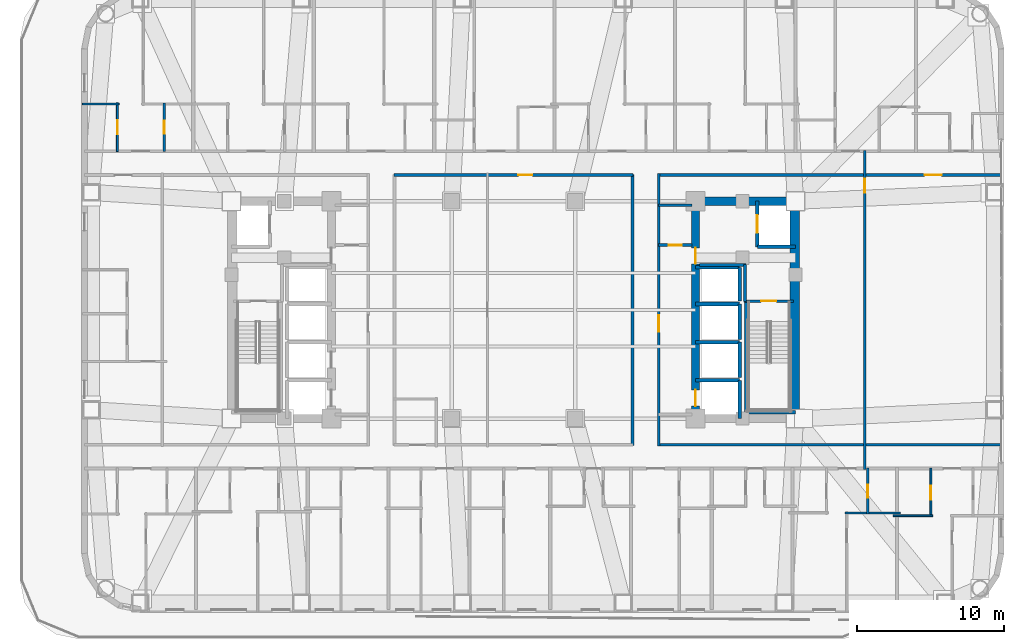
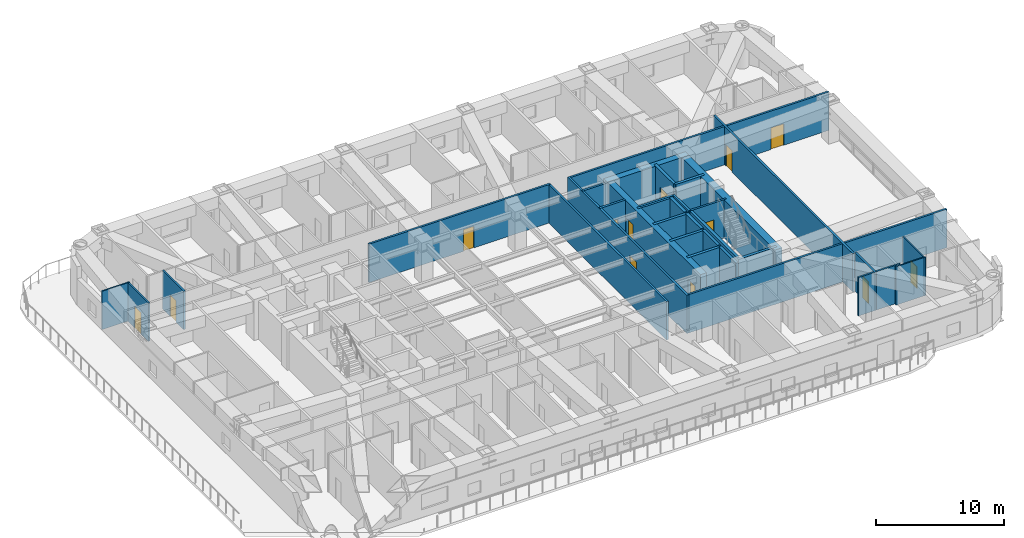
# One storey, part 10 of 18: 33 walls, 13 doors, 13 openings.
"""IFC4 building model written with IfcOpenShell, lengths in metres."""

from ifc_helpers import new_model, si_unit, direction, frame, frame_2d, origin, place, context, subcontext, project, spatial, rectangle, extrude, material, layer, layer_set, type_object, element, fill, save


model = new_model("IFC4")

# Units and contexts
model_context = context("Model", 3, precision=1e-05, world=origin(), true_north=direction((0.0, 1.0)))
body_context = subcontext(model_context, "Body", "Model", "MODEL_VIEW")
ifc_project = project(units=[si_unit("LENGTHUNIT", "METRE"), si_unit("AREAUNIT", "SQUARE_METRE"), si_unit("VOLUMEUNIT", "CUBIC_METRE"), si_unit("PLANEANGLEUNIT", "RADIAN"), si_unit("MASSUNIT", "GRAM", prefix="KILO")], contexts=[model_context])

# Site, building, storey
site_placement = place(None, origin())
site = spatial("IfcSite", under=ifc_project, at=site_placement, CompositionType="ELEMENT")
building_placement = place(site_placement, origin())
building = spatial("IfcBuilding", under=site, at=building_placement, Name="Voryun Gate Residences", CompositionType="ELEMENT")
storey_placement = place(building_placement, frame((0.0, 0.0, 85.800048828125)))
storey = spatial("IfcBuildingStorey", under=building, at=storey_placement, Name="L20", CompositionType="ELEMENT", Elevation=85.800048828125)

# Wall
ifc_material_1 = material(Name="Concrete C60/75", Category="concrete")
ifc_layer_1 = layer(ifc_material_1, 0.550048828125, Name="CW_CORE_550")
ifc_layer_set_1 = layer_set([ifc_layer_1], Name="Concrete C60/75")
wall_type_1 = type_object("IfcWallType", Name="CW_CORE_550", PredefinedType="SHEAR", material=ifc_layer_set_1)
wall_1_placement = place(storey_placement, frame((12.125, 7.39990234375, 0.0), z_axis=(0.0, 0.0, 1.0), x_axis=(1.0, 0.0, 0.0)))
element("IfcWall", 1, at=wall_1_placement, inside=storey, type_object=wall_type_1, Name="L20 Core shear wall CW-L20-EN", PredefinedType="SHEAR", context=body_context, shape_type="SweptSolid", body=[
    extrude(rectangle(XDim=7.35009765625, YDim=0.550048828125, at=frame_2d((3.675048828125, 0.0))), origin(), (0.0, 0.0, 1.0), 3.64990234375),
])

# Wall, openings, doors
wall_2_placement = place(storey_placement, frame((12.39990234375, -7.39990234375, 0.0), z_axis=(0.0, 0.0, 1.0), x_axis=(0.0, 1.0, 0.0)))
wall_2 = element("IfcWall", 2, at=wall_2_placement, inside=storey, type_object=wall_type_1, Name="L20 Core shear wall CW-L20-EW", PredefinedType="SHEAR", context=body_context, shape_type="SweptSolid", body=[
    extrude(rectangle(XDim=14.7998046875, YDim=0.550048828125, at=frame_2d((7.39990234375, 0.0))), origin(), (0.0, 0.0, 1.0), 3.64990234375),
])
opening_1_placement = place(wall_2_placement, frame((0.85009765625, 0.0, 0.0)))
opening_1 = element("IfcOpeningElement", 3, at=opening_1_placement, cuts=wall_2, Name="Opening LD2", PredefinedType="OPENING", context=body_context, shape_type="SweptSolid", body=[
    extrude(rectangle(XDim=1.10009765625, YDim=2.050048828125, at=frame_2d((0.550048828125, 1.02490234375))), frame((0.0, 0.284912109375, 0.0), z_axis=(0.0, -1.0, 0.0), x_axis=(1.0, 0.0, 0.0)), (0.0, 0.0, 1.0), 0.570068359375),
])
opening_2_placement = place(wall_2_placement, frame((10.530029296875, 0.0, 0.0)))
opening_2 = element("IfcOpeningElement", 4, at=opening_2_placement, cuts=wall_2, Name="Opening D-FD60-2", PredefinedType="OPENING", context=body_context, shape_type="SweptSolid", body=[
    extrude(rectangle(XDim=1.10009765625, YDim=2.050048828125, at=frame_2d((0.550048828125, 1.02490234375))), frame((0.0, 0.284912109375, 0.0), z_axis=(0.0, -1.0, 0.0), x_axis=(1.0, 0.0, 0.0)), (0.0, 0.0, 1.0), 0.570068359375),
])
ifc_material_2 = material(Name="Painted steel fire door", Category="steel")
door_type_1 = type_object("IfcDoorType", Name="DR_FD60_FFLOB_1100", OperationType="NOTDEFINED", PredefinedType="DOOR", material=ifc_material_2)
door_1_placement = place(opening_2_placement, origin())
door_1 = element("IfcDoor", 5, at=door_1_placement, inside=storey, type_object=door_type_1, Name="Door DR-L20-CLOB-E", OperationType="SINGLE_SWING_RIGHT", OverallHeight=2.050048828125, OverallWidth=1.10009765625, PredefinedType="DOOR", context=body_context, shape_type="SweptSolid", body=[
    extrude(rectangle(XDim=1.10009765625, YDim=2.050048828125, at=frame_2d((0.550048828125, 1.02490234375))), frame((0.0, 0.02490234375, 0.0), z_axis=(0.0, -1.0, 0.0), x_axis=(1.0, 0.0, 0.0)), (0.0, 0.0, 1.0), 0.050048828125),
])
fill(opening_2, door_1)
ifc_material_3 = material(Name="Anodised aluminium", Category="aluminium")
door_type_2 = type_object("IfcDoorType", Name="DR_LD_PASS_1100", OperationType="NOTDEFINED", PredefinedType="DOOR", material=ifc_material_3)
door_2_placement = place(opening_1_placement, origin())
door_2 = element("IfcDoor", 6, at=door_2_placement, inside=storey, type_object=door_type_2, Name="Lift EL-P3 sliding landing door L20", OperationType="SLIDING_TO_LEFT", OverallHeight=2.050048828125, OverallWidth=1.10009765625, PredefinedType="DOOR", context=body_context, shape_type="SweptSolid", body=[
    extrude(rectangle(XDim=1.10009765625, YDim=2.050048828125, at=frame_2d((0.550048828125, 1.02490234375))), frame((0.0, 0.02490234375, 0.0), z_axis=(0.0, -1.0, 0.0), x_axis=(1.0, 0.0, 0.0)), (0.0, 0.0, 1.0), 0.050048828125),
])
fill(opening_1, door_2)

# Wall
ifc_material_4 = material(Name="Concrete C60/75", Category="concrete")
ifc_layer_2 = layer(ifc_material_4, 0.64990234375, Name="CW_CORE_650")
ifc_layer_set_2 = layer_set([ifc_layer_2], Name="Concrete C60/75")
wall_type_2 = type_object("IfcWallType", Name="CW_CORE_650", PredefinedType="SHEAR", material=ifc_layer_set_2)
wall_3_placement = place(storey_placement, frame((19.14501953125, -7.39990234375, 0.0), z_axis=(0.0, 0.0, 1.0), x_axis=(0.0, 1.0, 0.0)))
element("IfcWall", 7, at=wall_3_placement, inside=storey, type_object=wall_type_2, Name="L20 Core shear wall CW-L20-EE", PredefinedType="SHEAR", context=body_context, shape_type="SweptSolid", body=[
    extrude(rectangle(XDim=14.7998046875, YDim=0.64990234375, at=frame_2d((7.39990234375, 0.0))), origin(), (0.0, 0.0, 1.0), 3.64990234375),
])

# Wall, opening, door
ifc_material_5 = material(Name="Gypsum acoustic fireboard")
ifc_layer_3 = layer(ifc_material_5, 0.179931640625, Name="W_CORR_RATED_180")
ifc_layer_set_3 = layer_set([ifc_layer_3], Name="Gypsum acoustic fireboard")
wall_type_3 = type_object("IfcWallType", Name="W_CORR_RATED_180", PredefinedType="PARTITIONING", material=ifc_layer_set_3)
wall_4_placement = place(storey_placement, frame((15.699951171875, 0.60009765625, 0.0), z_axis=(0.0, 0.0, 1.0), x_axis=(1.0, 0.0, 0.0)))
wall_4 = element("IfcWall", 8, at=wall_4_placement, inside=storey, type_object=wall_type_3, Name="Partition wall WP-L20-STV-E", PredefinedType="PARTITIONING", context=body_context, shape_type="SweptSolid", body=[
    extrude(rectangle(XDim=3.360107421875, YDim=0.179931640625, at=frame_2d((1.68017578125, 0.0))), origin(), (0.0, 0.0, 1.0), 3.64990234375),
])
opening_3_placement = place(wall_4_placement, frame((1.155029296875, 0.0, 0.0)))
opening_3 = element("IfcOpeningElement", 9, at=opening_3_placement, cuts=wall_4, Name="Opening D-FD60-1", PredefinedType="OPENING", context=body_context, shape_type="SweptSolid", body=[
    extrude(rectangle(XDim=1.050048828125, YDim=2.050048828125, at=frame_2d((0.52490234375, 1.02490234375))), frame((0.0, 0.099853515625, 0.0), z_axis=(0.0, -1.0, 0.0), x_axis=(1.0, 0.0, 0.0)), (0.0, 0.0, 1.0), 0.199951171875),
])
ifc_material_6 = material(Name="Painted steel fire door", Category="steel")
door_type_3 = type_object("IfcDoorType", Name="DR_FD60_STAIR_1050", OperationType="NOTDEFINED", PredefinedType="DOOR", material=ifc_material_6)
door_3_placement = place(opening_3_placement, origin())
door_3 = element("IfcDoor", 10, at=door_3_placement, inside=storey, type_object=door_type_3, Name="Door DR-L20-ST-E", OperationType="SINGLE_SWING_RIGHT", OverallHeight=2.050048828125, OverallWidth=1.050048828125, PredefinedType="DOOR", context=body_context, shape_type="SweptSolid", body=[
    extrude(rectangle(XDim=1.050048828125, YDim=2.050048828125, at=frame_2d((0.52490234375, 1.02490234375))), frame((0.0, 0.02490234375, 0.0), z_axis=(0.0, -1.0, 0.0), x_axis=(1.0, 0.0, 0.0)), (0.0, 0.0, 1.0), 0.050048828125),
])
fill(opening_3, door_3)

# Wall
wall_5_placement = place(storey_placement, frame((9.8798828125, 7.1201171875, 0.0), z_axis=(0.0, 0.0, 1.0), x_axis=(1.0, 0.0, 0.0)))
element("IfcWall", 11, at=wall_5_placement, inside=storey, type_object=wall_type_3, Name="Partition wall WP-L20-PLBN-E", PredefinedType="PARTITIONING", context=body_context, shape_type="SweptSolid", body=[
    extrude(rectangle(XDim=2.27001953125, YDim=0.179931640625, at=frame_2d((1.135009765625, 0.0))), origin(), (0.0, 0.0, 1.0), 3.64990234375),
])

# Wall, opening, door
wall_6_placement = place(storey_placement, frame((9.89990234375, -9.280029296875, 0.0), z_axis=(0.0, 0.0, 1.0), x_axis=(0.0, 1.0, 0.0)))
wall_6 = element("IfcWall", 12, at=wall_6_placement, inside=storey, type_object=wall_type_3, Name="Partition wall WP-L20-PLBE-FULL", PredefinedType="PARTITIONING", context=body_context, shape_type="SweptSolid", body=[
    extrude(rectangle(XDim=18.56005859375, YDim=0.179931640625, at=frame_2d((9.280029296875, 0.0))), origin(), (0.0, 0.0, 1.0), 3.64990234375),
])
opening_4_placement = place(wall_6_placement, frame((7.802001953125, 0.0, 0.0)))
opening_4 = element("IfcOpeningElement", 13, at=opening_4_placement, cuts=wall_6, Name="Opening D-FD60-2", PredefinedType="OPENING", context=body_context, shape_type="SweptSolid", body=[
    extrude(rectangle(XDim=1.10009765625, YDim=2.050048828125, at=frame_2d((0.550048828125, 1.02490234375))), frame((0.0, 0.099853515625, 0.0), z_axis=(0.0, -1.0, 0.0), x_axis=(1.0, 0.0, 0.0)), (0.0, 0.0, 1.0), 0.199951171875),
])
door_4_placement = place(opening_4_placement, origin())
door_4 = element("IfcDoor", 14, at=door_4_placement, inside=storey, type_object=door_type_1, Name="Door DR-L20-PLBE-COR", OperationType="SINGLE_SWING_RIGHT", OverallHeight=2.050048828125, OverallWidth=1.10009765625, PredefinedType="DOOR", context=body_context, shape_type="SweptSolid", body=[
    extrude(rectangle(XDim=1.10009765625, YDim=2.050048828125, at=frame_2d((0.550048828125, 1.02490234375))), frame((0.0, 0.02490234375, 0.0), z_axis=(0.0, -1.0, 0.0), x_axis=(1.0, 0.0, 0.0)), (0.0, 0.0, 1.0), 0.050048828125),
])
fill(opening_4, door_4)

wall_7_placement = place(storey_placement, frame((9.8798828125, 9.18994140625, 0.0), z_axis=(0.0, 0.0, 1.0), x_axis=(1.0, 0.0, 0.0)))
wall_7 = element("IfcWall", 15, at=wall_7_placement, inside=storey, type_object=wall_type_3, Name="Partition wall WP-L20-CWING-EN", PredefinedType="PARTITIONING", context=body_context, shape_type="SweptSolid", body=[
    extrude(rectangle(XDim=23.330078125, YDim=0.179931640625, at=frame_2d((11.6650390625, 0.0))), origin(), (0.0, 0.0, 1.0), 3.64990234375),
])
opening_5_placement = place(wall_7_placement, frame((18.11474609375, 0.0, 0.0)))
opening_5 = element("IfcOpeningElement", 16, at=opening_5_placement, cuts=wall_7, Name="Opening D-UNIT-1", PredefinedType="OPENING", context=body_context, shape_type="SweptSolid", body=[
    extrude(rectangle(XDim=1.14990234375, YDim=2.050048828125, at=frame_2d((0.574951171875, 1.02490234375))), frame((0.0, 0.099853515625, 0.0), z_axis=(0.0, -1.0, 0.0), x_axis=(1.0, 0.0, 0.0)), (0.0, 0.0, 1.0), 0.199951171875),
])
ifc_material_7 = material(Name="Armoured timber-clad fire door", Category="wood")
door_type_4 = type_object("IfcDoorType", Name="DR_UNIT_ENTRY_1150", OperationType="NOTDEFINED", PredefinedType="DOOR", material=ifc_material_7)
door_5_placement = place(opening_5_placement, origin())
door_5 = element("IfcDoor", 17, at=door_5_placement, inside=storey, type_object=door_type_4, Name="Door DR-L20-EE1N", OperationType="SINGLE_SWING_LEFT", OverallHeight=2.050048828125, OverallWidth=1.14990234375, PredefinedType="DOOR", context=body_context, shape_type="SweptSolid", body=[
    extrude(rectangle(XDim=1.14990234375, YDim=2.050048828125, at=frame_2d((0.574951171875, 1.02490234375))), frame((0.0, 0.02490234375, 0.0), z_axis=(0.0, -1.0, 0.0), x_axis=(1.0, 0.0, 0.0)), (0.0, 0.0, 1.0), 0.050048828125),
])
fill(opening_5, door_5)

# Wall
wall_8_placement = place(storey_placement, frame((9.8798828125, -9.18994140625, 0.0), z_axis=(0.0, 0.0, 1.0), x_axis=(1.0, 0.0, 0.0)))
element("IfcWall", 18, at=wall_8_placement, inside=storey, type_object=wall_type_3, Name="Partition wall WP-L20-CWING-ES", PredefinedType="PARTITIONING", context=body_context, shape_type="SweptSolid", body=[
    extrude(rectangle(XDim=23.330078125, YDim=0.179931640625, at=frame_2d((11.6650390625, 0.0))), origin(), (0.0, 0.0, 1.0), 3.64990234375),
])

# Wall, opening, door
wall_9_placement = place(storey_placement, frame((-8.14990234375, 9.18994140625, 0.0), z_axis=(0.0, 0.0, 1.0), x_axis=(1.0, 0.0, 0.0)))
wall_9 = element("IfcWall", 19, at=wall_9_placement, inside=storey, type_object=wall_type_3, Name="Partition wall WP-L20-Z1N", PredefinedType="PARTITIONING", context=body_context, shape_type="SweptSolid", body=[
    extrude(rectangle(XDim=16.2998046875, YDim=0.179931640625, at=frame_2d((8.14990234375, 0.0))), origin(), (0.0, 0.0, 1.0), 3.64990234375),
])
opening_6_placement = place(wall_9_placement, frame((8.489990234375, 0.0, 0.0)))
opening_6 = element("IfcOpeningElement", 20, at=opening_6_placement, cuts=wall_9, Name="Opening D-INT-1", PredefinedType="OPENING", context=body_context, shape_type="SweptSolid", body=[
    extrude(rectangle(XDim=0.949951171875, YDim=2.050048828125, at=frame_2d((0.47509765625, 1.02490234375))), frame((0.0, 0.099853515625, 0.0), z_axis=(0.0, -1.0, 0.0), x_axis=(1.0, 0.0, 0.0)), (0.0, 0.0, 1.0), 0.199951171875),
])
ifc_material_8 = material(Name="Architectural oak veneer")
door_type_5 = type_object("IfcDoorType", Name="DR_INT_ROOM_950", OperationType="NOTDEFINED", PredefinedType="DOOR", material=ifc_material_8)
door_6_placement = place(opening_6_placement, origin())
door_6 = element("IfcDoor", 21, at=door_6_placement, inside=storey, type_object=door_type_5, Name="Door DR-L20-CMIDZ1N", OperationType="SINGLE_SWING_LEFT", OverallHeight=2.050048828125, OverallWidth=0.949951171875, PredefinedType="DOOR", context=body_context, shape_type="SweptSolid", body=[
    extrude(rectangle(XDim=0.949951171875, YDim=2.050048828125, at=frame_2d((0.47509765625, 1.02490234375))), frame((0.0, 0.02490234375, 0.0), z_axis=(0.0, -1.0, 0.0), x_axis=(1.0, 0.0, 0.0)), (0.0, 0.0, 1.0), 0.050048828125),
])
fill(opening_6, door_6)

# Wall
wall_10_placement = place(storey_placement, frame((8.10009765625, -9.22998046875, 0.0), z_axis=(0.0, 0.0, 1.0), x_axis=(0.0, 1.0, 0.0)))
element("IfcWall", 22, at=wall_10_placement, inside=storey, type_object=wall_type_3, Name="Partition wall WP-L20-Z1E", PredefinedType="PARTITIONING", context=body_context, shape_type="SweptSolid", body=[
    extrude(rectangle(XDim=18.4599609375, YDim=0.179931640625, at=frame_2d((9.22998046875, 0.0))), origin(), (0.0, 0.0, 1.0), 3.64990234375),
])

# Wall, opening, door
wall_11_placement = place(storey_placement, frame((23.919921875, -10.85009765625, 0.0), z_axis=(0.0, 0.0, 1.0), x_axis=(0.0, 1.0, 0.0)))
wall_11 = element("IfcWall", 23, at=wall_11_placement, inside=storey, type_object=wall_type_3, Name="Partition wall WP-L20-ESG", PredefinedType="PARTITIONING", context=body_context, shape_type="SweptSolid", body=[
    extrude(rectangle(XDim=21.7001953125, YDim=0.179931640625, at=frame_2d((10.85009765625, 0.0))), origin(), (0.0, 0.0, 1.0), 3.64990234375),
])
opening_7_placement = place(wall_11_placement, frame((18.8349609375, 0.0, 0.0)))
opening_7 = element("IfcOpeningElement", 24, at=opening_7_placement, cuts=wall_11, Name="Opening D-INT-1", PredefinedType="OPENING", context=body_context, shape_type="SweptSolid", body=[
    extrude(rectangle(XDim=0.949951171875, YDim=2.050048828125, at=frame_2d((0.47509765625, 1.02490234375))), frame((0.0, 0.099853515625, 0.0), z_axis=(0.0, -1.0, 0.0), x_axis=(1.0, 0.0, 0.0)), (0.0, 0.0, 1.0), 0.199951171875),
])
door_7_placement = place(opening_7_placement, origin())
door_7 = element("IfcDoor", 25, at=door_7_placement, inside=storey, type_object=door_type_5, Name="Door DR-L20-ESG", OperationType="SINGLE_SWING_LEFT", OverallHeight=2.050048828125, OverallWidth=0.949951171875, PredefinedType="DOOR", context=body_context, shape_type="SweptSolid", body=[
    extrude(rectangle(XDim=0.949951171875, YDim=2.050048828125, at=frame_2d((0.47509765625, 1.02490234375))), frame((0.0, 0.02490234375, 0.0), z_axis=(0.0, -1.0, 0.0), x_axis=(1.0, 0.0, 0.0)), (0.0, 0.0, 1.0), 0.050048828125),
])
fill(opening_7, door_7)

# Walls
ifc_material_9 = material(Name="Concrete C40/50", Category="concrete")
ifc_layer_4 = layer(ifc_material_9, 0.199951171875, Name="W_FF_LOBBY_200")
ifc_layer_set_4 = layer_set([ifc_layer_4], Name="Concrete C40/50")
wall_type_4 = type_object("IfcWallType", Name="W_FF_LOBBY_200", PredefinedType="PARTITIONING", material=ifc_layer_set_4)
wall_12_placement = place(storey_placement, frame((15.760009765625, 0.580078125, 0.0), z_axis=(0.0, 0.0, 1.0), x_axis=(0.0, 1.0, 0.0)))
element("IfcWall", 26, at=wall_12_placement, inside=storey, type_object=wall_type_4, Name="Partition wall WP-L20-FFP0-E", PredefinedType="PARTITIONING", context=body_context, shape_type="SweptSolid", body=[
    extrude(rectangle(XDim=2.52001953125, YDim=0.199951171875, at=frame_2d((1.260009765625, 0.0))), origin(), (0.0, 0.0, 1.0), 3.64990234375),
])
wall_13_placement = place(storey_placement, frame((12.659912109375, 3.06005859375, 0.0), z_axis=(0.0, 0.0, 1.0), x_axis=(1.0, 0.0, 0.0)))
element("IfcWall", 27, at=wall_13_placement, inside=storey, type_object=wall_type_4, Name="Partition wall WP-L20-FFPS-E", PredefinedType="PARTITIONING", context=body_context, shape_type="SweptSolid", body=[
    extrude(rectangle(XDim=3.16015625, YDim=0.199951171875, at=frame_2d((1.580078125, 0.0))), origin(), (0.0, 0.0, 1.0), 3.64990234375),
])

# Wall, opening, door
wall_14_placement = place(storey_placement, frame((9.8798828125, 4.409912109375, 0.0), z_axis=(0.0, 0.0, 1.0), x_axis=(1.0, 0.0, 0.0)))
wall_14 = element("IfcWall", 28, at=wall_14_placement, inside=storey, type_object=wall_type_4, Name="Partition wall WP-L20-CSFLKS-E", PredefinedType="PARTITIONING", context=body_context, shape_type="SweptSolid", body=[
    extrude(rectangle(XDim=2.27001953125, YDim=0.199951171875, at=frame_2d((1.135009765625, 0.0))), origin(), (0.0, 0.0, 1.0), 3.64990234375),
])
opening_8_placement = place(wall_14_placement, frame((0.68505859375, 0.0, 0.0)))
opening_8 = element("IfcOpeningElement", 29, at=opening_8_placement, cuts=wall_14, Name="Opening D-FD60-4", PredefinedType="OPENING", context=body_context, shape_type="SweptSolid", body=[
    extrude(rectangle(XDim=0.89990234375, YDim=2.050048828125, at=frame_2d((0.449951171875, 1.02490234375))), frame((0.0, 0.110107421875, 0.0), z_axis=(0.0, -1.0, 0.0), x_axis=(1.0, 0.0, 0.0)), (0.0, 0.0, 1.0), 0.219970703125),
])
ifc_material_10 = material(Name="Painted steel fire door", Category="steel")
door_type_6 = type_object("IfcDoorType", Name="DR_FD60_RISER_900", OperationType="NOTDEFINED", PredefinedType="DOOR", material=ifc_material_10)
door_8_placement = place(opening_8_placement, origin())
door_8 = element("IfcDoor", 30, at=door_8_placement, inside=storey, type_object=door_type_6, Name="Door DR-L20-CSFLK-E", OperationType="SINGLE_SWING_RIGHT", OverallHeight=2.050048828125, OverallWidth=0.89990234375, PredefinedType="DOOR", context=body_context, shape_type="SweptSolid", body=[
    extrude(rectangle(XDim=0.89990234375, YDim=2.050048828125, at=frame_2d((0.449951171875, 1.02490234375))), frame((0.0, 0.02490234375, 0.0), z_axis=(0.0, -1.0, 0.0), x_axis=(1.0, 0.0, 0.0)), (0.0, 0.0, 1.0), 0.050048828125),
])
fill(opening_8, door_8)

# Walls
ifc_material_11 = material(Name="Concrete C50/60", Category="concrete")
ifc_layer_5 = layer(ifc_material_11, 0.25, Name="W_SHAFT_RC250")
ifc_layer_set_5 = layer_set([ifc_layer_5], Name="Concrete C50/60")
wall_type_5 = type_object("IfcWallType", Name="W_SHAFT_RC250", PredefinedType="SOLIDWALL", material=ifc_layer_set_5)
wall_15_placement = place(storey_placement, frame((15.860107421875, -7.0849609375, 0.0), z_axis=(0.0, 0.0, 1.0), x_axis=(0.0, 1.0, 0.0)))
element("IfcWall", 31, at=wall_15_placement, inside=storey, type_object=wall_type_5, Name="L20 Stair shaft structural wall E-STL", PredefinedType="SOLIDWALL", context=body_context, shape_type="SweptSolid", body=[
    extrude(rectangle(XDim=7.68505859375, YDim=0.25, at=frame_2d((3.842529296875, 0.0))), origin(), (0.0, 0.0, 1.0), 3.64990234375),
])
wall_16_placement = place(storey_placement, frame((15.739990234375, -6.965087890625, 0.0), z_axis=(0.0, 0.0, 1.0), x_axis=(1.0, 0.0, 0.0)))
element("IfcWall", 32, at=wall_16_placement, inside=storey, type_object=wall_type_5, Name="L20 Stair shaft structural wall E-STS", PredefinedType="SOLIDWALL", context=body_context, shape_type="SweptSolid", body=[
    extrude(rectangle(XDim=3.4599609375, YDim=0.25, at=frame_2d((1.72998046875, 0.0))), origin(), (0.0, 0.0, 1.0), 3.64990234375),
])
wall_17_placement = place(storey_placement, frame((16.60009765625, 4.300048828125, 0.0), z_axis=(0.0, 0.0, 1.0), x_axis=(1.0, 0.0, 0.0)))
element("IfcWall", 33, at=wall_17_placement, inside=storey, type_object=wall_type_5, Name="Lift shaft wall WSH-L20-EL-FF-E1-S", PredefinedType="SOLIDWALL", context=body_context, shape_type="SweptSolid", body=[
    extrude(rectangle(XDim=2.599853515625, YDim=0.25, at=frame_2d((1.2998046875, 0.0))), origin(), (0.0, 0.0, 1.0), 3.64990234375),
])

# Wall, opening, door
wall_18_placement = place(storey_placement, frame((16.60009765625, 7.39990234375, 0.0), z_axis=(0.0, 0.0, 1.0), x_axis=(0.0, -1.0, 0.0)))
wall_18 = element("IfcWall", 34, at=wall_18_placement, inside=storey, type_object=wall_type_5, Name="Lift shaft wall WSH-L20-EL-FF-E1-W", PredefinedType="SOLIDWALL", context=body_context, shape_type="SweptSolid", body=[
    extrude(rectangle(XDim=3.099853515625, YDim=0.25, at=frame_2d((1.5498046875, 0.0))), origin(), (0.0, 0.0, 1.0), 3.64990234375),
])
opening_9_placement = place(wall_18_placement, frame((0.949951171875, 0.0, 0.0)))
opening_9 = element("IfcOpeningElement", 35, at=opening_9_placement, cuts=wall_18, Name="Opening LD1", PredefinedType="OPENING", context=body_context, shape_type="SweptSolid", body=[
    extrude(rectangle(XDim=1.199951171875, YDim=2.050048828125, at=frame_2d((0.60009765625, 1.02490234375))), frame((0.0, 0.135009765625, 0.0), z_axis=(0.0, -1.0, 0.0), x_axis=(1.0, 0.0, 0.0)), (0.0, 0.0, 1.0), 0.27001953125),
])
ifc_material_12 = material(Name="Anodised aluminium", Category="aluminium")
door_type_7 = type_object("IfcDoorType", Name="DR_LD_FF_1200", OperationType="NOTDEFINED", PredefinedType="DOOR", material=ifc_material_12)
door_9_placement = place(opening_9_placement, origin())
door_9 = element("IfcDoor", 36, at=door_9_placement, inside=storey, type_object=door_type_7, Name="Lift EL-FF-E1 sliding landing door L20", OperationType="SLIDING_TO_LEFT", OverallHeight=2.050048828125, OverallWidth=1.199951171875, PredefinedType="DOOR", context=body_context, shape_type="SweptSolid", body=[
    extrude(rectangle(XDim=1.199951171875, YDim=2.050048828125, at=frame_2d((0.60009765625, 1.02490234375))), frame((0.0, 0.02490234375, 0.0), z_axis=(0.0, -1.0, 0.0), x_axis=(1.0, 0.0, 0.0)), (0.0, 0.0, 1.0), 0.050048828125),
])
fill(opening_9, door_9)

# Walls
wall_19_placement = place(storey_placement, frame((15.39990234375, -7.39990234375, 0.0), z_axis=(0.0, 0.0, 1.0), x_axis=(0.0, 1.0, 0.0)))
element("IfcWall", 37, at=wall_19_placement, inside=storey, type_object=wall_type_5, Name="Lift shaft wall WSH-L20-EL-P3-E", PredefinedType="SOLIDWALL", context=body_context, shape_type="SweptSolid", body=[
    extrude(rectangle(XDim=2.599853515625, YDim=0.25, at=frame_2d((1.2998046875, 0.0))), origin(), (0.0, 0.0, 1.0), 3.64990234375),
])
wall_20_placement = place(storey_placement, frame((15.39990234375, -4.800048828125, 0.0), z_axis=(0.0, 0.0, 1.0), x_axis=(-1.0, 0.0, 0.0)))
element("IfcWall", 38, at=wall_20_placement, inside=storey, type_object=wall_type_5, Name="Lift shaft wall WSH-L20-EL-P3-N", PredefinedType="SOLIDWALL", context=body_context, shape_type="SweptSolid", body=[
    extrude(rectangle(XDim=3.0, YDim=0.25, at=frame_2d((1.5, 0.0))), origin(), (0.0, 0.0, 1.0), 3.64990234375),
])
wall_21_placement = place(storey_placement, frame((15.39990234375, -4.60009765625, 0.0), z_axis=(0.0, 0.0, 1.0), x_axis=(0.0, 1.0, 0.0)))
element("IfcWall", 39, at=wall_21_placement, inside=storey, type_object=wall_type_5, Name="Lift shaft wall WSH-L20-EL-P5-E", PredefinedType="SOLIDWALL", context=body_context, shape_type="SweptSolid", body=[
    extrude(rectangle(XDim=2.400146484375, YDim=0.25, at=frame_2d((1.2001953125, 0.0))), origin(), (0.0, 0.0, 1.0), 3.64990234375),
])
wall_22_placement = place(storey_placement, frame((15.39990234375, -2.199951171875, 0.0), z_axis=(0.0, 0.0, 1.0), x_axis=(-1.0, 0.0, 0.0)))
element("IfcWall", 40, at=wall_22_placement, inside=storey, type_object=wall_type_5, Name="Lift shaft wall WSH-L20-EL-P5-N", PredefinedType="SOLIDWALL", context=body_context, shape_type="SweptSolid", body=[
    extrude(rectangle(XDim=3.0, YDim=0.25, at=frame_2d((1.5, 0.0))), origin(), (0.0, 0.0, 1.0), 3.64990234375),
])
wall_23_placement = place(storey_placement, frame((15.39990234375, -2.0, 0.0), z_axis=(0.0, 0.0, 1.0), x_axis=(0.0, 1.0, 0.0)))
element("IfcWall", 41, at=wall_23_placement, inside=storey, type_object=wall_type_5, Name="Lift shaft wall WSH-L20-EL-P6-E", PredefinedType="SOLIDWALL", context=body_context, shape_type="SweptSolid", body=[
    extrude(rectangle(XDim=2.39990234375, YDim=0.25, at=frame_2d((1.199951171875, 0.0))), origin(), (0.0, 0.0, 1.0), 3.64990234375),
])
wall_24_placement = place(storey_placement, frame((15.39990234375, 0.39990234375, 0.0), z_axis=(0.0, 0.0, 1.0), x_axis=(-1.0, 0.0, 0.0)))
element("IfcWall", 42, at=wall_24_placement, inside=storey, type_object=wall_type_5, Name="Lift shaft wall WSH-L20-EL-P6-N", PredefinedType="SOLIDWALL", context=body_context, shape_type="SweptSolid", body=[
    extrude(rectangle(XDim=3.0, YDim=0.25, at=frame_2d((1.5, 0.0))), origin(), (0.0, 0.0, 1.0), 3.64990234375),
])
wall_25_placement = place(storey_placement, frame((15.39990234375, 0.60009765625, 0.0), z_axis=(0.0, 0.0, 1.0), x_axis=(0.0, 1.0, 0.0)))
element("IfcWall", 43, at=wall_25_placement, inside=storey, type_object=wall_type_5, Name="Lift shaft wall WSH-L20-EL-P8-E", PredefinedType="SOLIDWALL", context=body_context, shape_type="SweptSolid", body=[
    extrude(rectangle(XDim=2.2998046875, YDim=0.25, at=frame_2d((1.14990234375, 0.0))), origin(), (0.0, 0.0, 1.0), 3.64990234375),
])
wall_26_placement = place(storey_placement, frame((15.39990234375, 2.89990234375, 0.0), z_axis=(0.0, 0.0, 1.0), x_axis=(-1.0, 0.0, 0.0)))
element("IfcWall", 44, at=wall_26_placement, inside=storey, type_object=wall_type_5, Name="Lift shaft wall WSH-L20-EL-P8-N", PredefinedType="SOLIDWALL", context=body_context, shape_type="SweptSolid", body=[
    extrude(rectangle(XDim=3.0, YDim=0.25, at=frame_2d((1.5, 0.0))), origin(), (0.0, 0.0, 1.0), 3.64990234375),
])

# Wall, opening, door
ifc_material_13 = material(Name="Gypsum acoustic partition")
ifc_layer_6 = layer(ifc_material_13, 0.125, Name="W_UNIT_PART_125")
ifc_layer_set_6 = layer_set([ifc_layer_6], Name="Gypsum acoustic partition")
wall_type_6 = type_object("IfcWallType", Name="W_UNIT_PART_125", PredefinedType="PARTITIONING", material=ifc_layer_set_6)
wall_27_placement = place(storey_placement, frame((-26.968017578125, 10.780029296875, 0.0), z_axis=(0.0, 0.0, 1.0), x_axis=(0.0, 1.0, 0.0)))
wall_27 = element("IfcWall", 45, at=wall_27_placement, inside=storey, type_object=wall_type_6, Name="Partition wall WP-L20-N1-IVK", PredefinedType="PARTITIONING", context=body_context, shape_type="SweptSolid", body=[
    extrude(rectangle(XDim=3.320068359375, YDim=0.125, at=frame_2d((1.66015625, 0.0))), origin(), (0.0, 0.0, 1.0), 3.64990234375),
])
opening_10_placement = place(wall_27_placement, frame((1.18505859375, 0.0, 0.0)))
opening_10 = element("IfcOpeningElement", 46, at=opening_10_placement, cuts=wall_27, Name="Opening D-INT-1", PredefinedType="OPENING", context=body_context, shape_type="SweptSolid", body=[
    extrude(rectangle(XDim=0.949951171875, YDim=2.050048828125, at=frame_2d((0.47509765625, 1.02490234375))), frame((0.0, 0.072509765625, 0.0), z_axis=(0.0, -1.0, 0.0), x_axis=(1.0, 0.0, 0.0)), (0.0, 0.0, 1.0), 0.14501953125),
])
door_10_placement = place(opening_10_placement, origin())
door_10 = element("IfcDoor", 47, at=door_10_placement, inside=storey, type_object=door_type_5, Name="Door DR-L20-N1-DK", OperationType="SINGLE_SWING_LEFT", OverallHeight=2.050048828125, OverallWidth=0.949951171875, PredefinedType="DOOR", context=body_context, shape_type="SweptSolid", body=[
    extrude(rectangle(XDim=0.949951171875, YDim=2.050048828125, at=frame_2d((0.47509765625, 1.02490234375))), frame((0.0, 0.02490234375, 0.0), z_axis=(0.0, -1.0, 0.0), x_axis=(1.0, 0.0, 0.0)), (0.0, 0.0, 1.0), 0.050048828125),
])
fill(opening_10, door_10)

# Wall
wall_28_placement = place(storey_placement, frame((-29.360107421875, 14.02001953125, 0.0), z_axis=(0.0, 0.0, 1.0), x_axis=(1.0, 0.0, 0.0)))
element("IfcWall", 48, at=wall_28_placement, inside=storey, type_object=wall_type_6, Name="Partition wall WP-L20-N1-HZK", PredefinedType="PARTITIONING", context=body_context, shape_type="SweptSolid", body=[
    extrude(rectangle(XDim=2.51220703125, YDim=0.125, at=frame_2d((1.256103515625, 0.0))), origin(), (0.0, 0.0, 1.0), 3.64990234375),
])

# Wall, opening, door
wall_29_placement = place(storey_placement, frame((28.4189453125, -14.10009765625, 0.0), z_axis=(0.0, 0.0, 1.0), x_axis=(0.0, 1.0, 0.0)))
wall_29 = element("IfcWall", 49, at=wall_29_placement, inside=storey, type_object=wall_type_6, Name="Partition wall WP-L20-S10-IVK", PredefinedType="PARTITIONING", context=body_context, shape_type="SweptSolid", body=[
    extrude(rectangle(XDim=3.320068359375, YDim=0.125, at=frame_2d((1.66015625, 0.0))), origin(), (0.0, 0.0, 1.0), 3.64990234375),
])
opening_11_placement = place(wall_29_placement, frame((1.18505859375, 0.0, 0.0)))
opening_11 = element("IfcOpeningElement", 50, at=opening_11_placement, cuts=wall_29, Name="Opening D-INT-1", PredefinedType="OPENING", context=body_context, shape_type="SweptSolid", body=[
    extrude(rectangle(XDim=0.949951171875, YDim=2.050048828125, at=frame_2d((0.47509765625, 1.02490234375))), frame((0.0, 0.072509765625, 0.0), z_axis=(0.0, -1.0, 0.0), x_axis=(1.0, 0.0, 0.0)), (0.0, 0.0, 1.0), 0.14501953125),
])
door_11_placement = place(opening_11_placement, origin())
door_11 = element("IfcDoor", 51, at=door_11_placement, inside=storey, type_object=door_type_5, Name="Door DR-L20-S10-DK", OperationType="SINGLE_SWING_LEFT", OverallHeight=2.050048828125, OverallWidth=0.949951171875, PredefinedType="DOOR", context=body_context, shape_type="SweptSolid", body=[
    extrude(rectangle(XDim=0.949951171875, YDim=2.050048828125, at=frame_2d((0.47509765625, 1.02490234375))), frame((0.0, 0.02490234375, 0.0), z_axis=(0.0, -1.0, 0.0), x_axis=(1.0, 0.0, 0.0)), (0.0, 0.0, 1.0), 0.050048828125),
])
fill(opening_11, door_11)

# Wall
wall_30_placement = place(storey_placement, frame((25.84912109375, -14.02001953125, 0.0), z_axis=(0.0, 0.0, 1.0), x_axis=(1.0, 0.0, 0.0)))
element("IfcWall", 52, at=wall_30_placement, inside=storey, type_object=wall_type_6, Name="Partition wall WP-L20-S10-HZK", PredefinedType="PARTITIONING", context=body_context, shape_type="SweptSolid", body=[
    extrude(rectangle(XDim=2.68994140625, YDim=0.125, at=frame_2d((1.344970703125, 0.0))), origin(), (0.0, 0.0, 1.0), 3.64990234375),
])

# Wall, opening, door
ifc_material_14 = material(Name="Gypsum moisture-resistant partition")
ifc_layer_7 = layer(ifc_material_14, 0.14990234375, Name="W_WET_PLUMB_150")
ifc_layer_set_7 = layer_set([ifc_layer_7], Name="Gypsum moisture-resistant partition")
wall_type_7 = type_object("IfcWallType", Name="W_WET_PLUMB_150", PredefinedType="PLUMBINGWALL", material=ifc_layer_set_7)
wall_31_placement = place(storey_placement, frame((-23.780029296875, 10.780029296875, 0.0), z_axis=(0.0, 0.0, 1.0), x_axis=(0.0, 1.0, 0.0)))
wall_31 = element("IfcWall", 53, at=wall_31_placement, inside=storey, type_object=wall_type_7, Name="Partition wall WP-L20-N1-IVB", PredefinedType="PLUMBINGWALL", context=body_context, shape_type="SweptSolid", body=[
    extrude(rectangle(XDim=3.320068359375, YDim=0.14990234375, at=frame_2d((1.66015625, 0.0))), origin(), (0.0, 0.0, 1.0), 3.64990234375),
])
opening_12_placement = place(wall_31_placement, frame((1.2099609375, 0.0, 0.0)))
opening_12 = element("IfcOpeningElement", 54, at=opening_12_placement, cuts=wall_31, Name="Opening D-INT-2", PredefinedType="OPENING", context=body_context, shape_type="SweptSolid", body=[
    extrude(rectangle(XDim=0.89990234375, YDim=2.050048828125, at=frame_2d((0.449951171875, 1.02490234375))), frame((0.0, 0.0849609375, 0.0), z_axis=(0.0, -1.0, 0.0), x_axis=(1.0, 0.0, 0.0)), (0.0, 0.0, 1.0), 0.169921875),
])
ifc_material_15 = material(Name="Architectural oak veneer")
door_type_8 = type_object("IfcDoorType", Name="DR_INT_BATH_900", OperationType="NOTDEFINED", PredefinedType="DOOR", material=ifc_material_15)
door_12_placement = place(opening_12_placement, origin())
door_12 = element("IfcDoor", 55, at=door_12_placement, inside=storey, type_object=door_type_8, Name="Door DR-L20-N1-DB", OperationType="SINGLE_SWING_RIGHT", OverallHeight=2.050048828125, OverallWidth=0.89990234375, PredefinedType="DOOR", context=body_context, shape_type="SweptSolid", body=[
    extrude(rectangle(XDim=0.89990234375, YDim=2.050048828125, at=frame_2d((0.449951171875, 1.02490234375))), frame((0.0, 0.02490234375, 0.0), z_axis=(0.0, -1.0, 0.0), x_axis=(1.0, 0.0, 0.0)), (0.0, 0.0, 1.0), 0.050048828125),
])
fill(opening_12, door_12)

# Wall
wall_32_placement = place(storey_placement, frame((22.5791015625, -13.819091796875, 0.0), z_axis=(0.0, 0.0, 1.0), x_axis=(1.0, 0.0, 0.0)))
element("IfcWall", 56, at=wall_32_placement, inside=storey, type_object=wall_type_7, Name="Partition wall WP-L20-S9-HZB", PredefinedType="PLUMBINGWALL", context=body_context, shape_type="SweptSolid", body=[
    extrude(rectangle(XDim=3.789794921875, YDim=0.14990234375, at=frame_2d((1.89501953125, 0.0))), origin(), (0.0, 0.0, 1.0), 3.64990234375),
])

# Wall, opening, door
wall_33_placement = place(storey_placement, frame((24.12890625, -13.89892578125, 0.0), z_axis=(0.0, 0.0, 1.0), x_axis=(0.0, 1.0, 0.0)))
wall_33 = element("IfcWall", 57, at=wall_33_placement, inside=storey, type_object=wall_type_7, Name="Partition wall WP-L20-S9-IVB", PredefinedType="PLUMBINGWALL", context=body_context, shape_type="SweptSolid", body=[
    extrude(rectangle(XDim=3.118896484375, YDim=0.14990234375, at=frame_2d((1.5595703125, 0.0))), origin(), (0.0, 0.0, 1.0), 3.64990234375),
])
opening_13_placement = place(wall_33_placement, frame((1.109619140625, 0.0, 0.0)))
opening_13 = element("IfcOpeningElement", 58, at=opening_13_placement, cuts=wall_33, Name="Opening D-INT-2", PredefinedType="OPENING", context=body_context, shape_type="SweptSolid", body=[
    extrude(rectangle(XDim=0.89990234375, YDim=2.050048828125, at=frame_2d((0.449951171875, 1.02490234375))), frame((0.0, 0.0849609375, 0.0), z_axis=(0.0, -1.0, 0.0), x_axis=(1.0, 0.0, 0.0)), (0.0, 0.0, 1.0), 0.169921875),
])
door_13_placement = place(opening_13_placement, origin())
door_13 = element("IfcDoor", 59, at=door_13_placement, inside=storey, type_object=door_type_8, Name="Door DR-L20-S9-DB", OperationType="SINGLE_SWING_RIGHT", OverallHeight=2.050048828125, OverallWidth=0.89990234375, PredefinedType="DOOR", context=body_context, shape_type="SweptSolid", body=[
    extrude(rectangle(XDim=0.89990234375, YDim=2.050048828125, at=frame_2d((0.449951171875, 1.02490234375))), frame((0.0, 0.02490234375, 0.0), z_axis=(0.0, -1.0, 0.0), x_axis=(1.0, 0.0, 0.0)), (0.0, 0.0, 1.0), 0.050048828125),
])
fill(opening_13, door_13)

save(model, "model.ifc")
